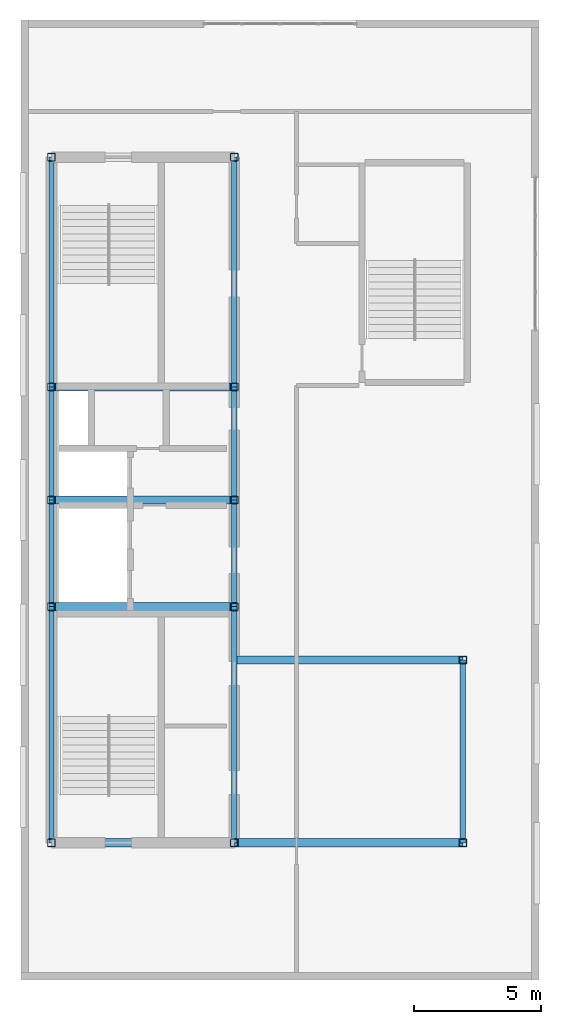
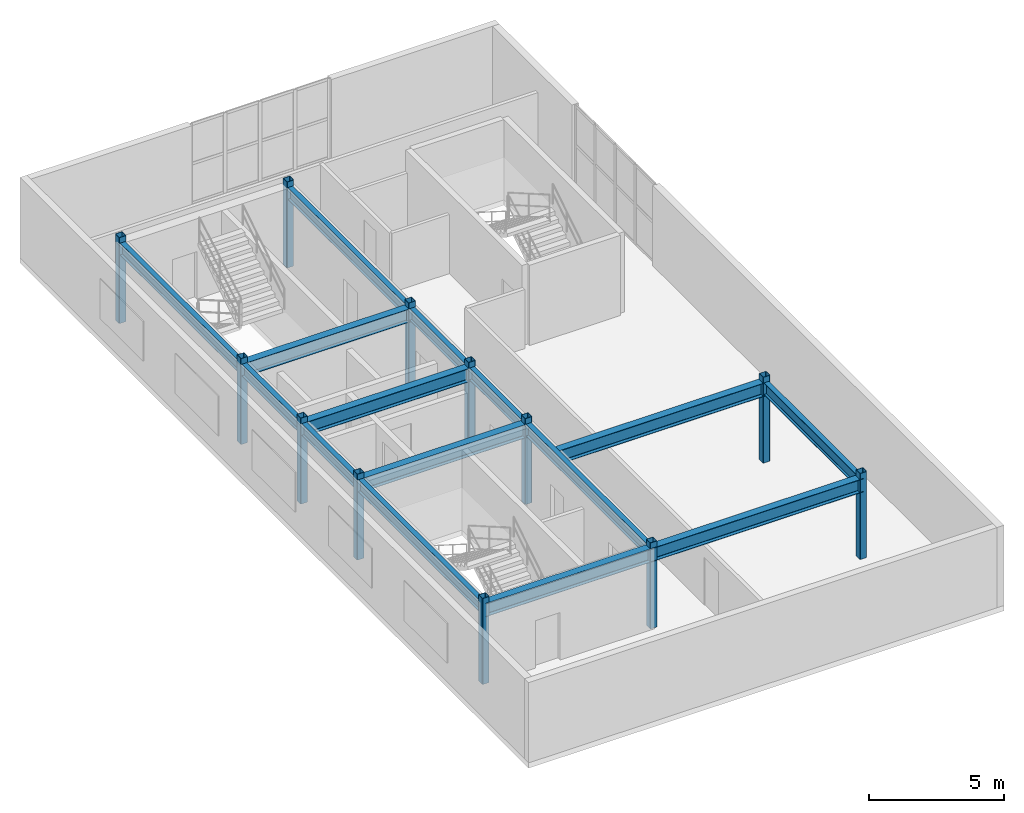
# One storey, part 1 of 6: 15 beams, 12 columns.
"""IFC4 building model written with IfcOpenShell, lengths in metres."""

from ifc_helpers import new_model, entity, si_unit, converted_unit, direction, frame, origin_with_axes, origin_2d_with_axis, place, context, subcontext, project, spatial, hollow_rectangle, i_section, extrude, material, material_profile, profile_set, type_object, element, save


model = new_model("IFC4")

# Units and contexts
model_context = context("Model", 3, precision=1e-05, world=origin_with_axes(), true_north=direction((0.0, 1.0)))
body_context = subcontext(model_context, "Body", "Model", "MODEL_VIEW")
ifc_project = project(units=[si_unit("LENGTHUNIT", "METRE"), si_unit("AREAUNIT", "SQUARE_METRE"), si_unit("VOLUMEUNIT", "CUBIC_METRE"), converted_unit("PLANEANGLEUNIT", "DEGREE", entity("IfcPlaneAngleMeasure", 0.017453292519943295), si_unit("PLANEANGLEUNIT", "RADIAN"), dimensions=[0, 0, 0, 0, 0, 0, 0]), si_unit("MASSUNIT", "GRAM", prefix="KILO"), si_unit("THERMODYNAMICTEMPERATUREUNIT", "KELVIN")], contexts=[model_context])

# Site, building, storey
site_placement = place(None, origin_with_axes())
site = spatial("IfcSite", under=ifc_project, at=site_placement, CompositionType="ELEMENT")
building_placement = place(site_placement, origin_with_axes())
building = spatial("IfcBuilding", under=site, at=building_placement, Name="Varnlund Millrace Tower", CompositionType="ELEMENT")
storey_placement = place(building_placement, frame((0.0, 0.0, 320.4), z_axis=(0.0, 0.0, 1.0), x_axis=(1.0, 0.0, 0.0)))
storey = spatial("IfcBuildingStorey", under=building, at=storey_placement, Name="L79", CompositionType="ELEMENT", Elevation=320.4)

# Columns
ifc_material_1 = material(Name="Steel ASTM A500 Grade C", Category="steel")
ifc_material_profile_1 = material_profile(ifc_material_1, hollow_rectangle(XDim=0.305, YDim=0.305, WallThickness=0.0147, InnerFilletRadius=0.015, OuterFilletRadius=0.03, at=origin_2d_with_axis()), Name="Steel ASTM A500 Grade C")
ifc_profile_set_1 = profile_set([ifc_material_profile_1], Name="Steel ASTM A500 Grade C")
column_type = type_object("IfcColumnType", Name="Type-Col-Crn-HSS12", PredefinedType="COLUMN", material=ifc_profile_set_1)
for number, where, z_axis, x_axis, name in (
    (1, (11.4, 10.8, 0.0), (0.0, 0.0, 1.0), (1.0, 0.0, 0.0), "Type-Col-Crn-HSS12"),
    (2, (11.4, 20.1, 0.0), (0.0, 0.0, 1.0), (1.0, 0.0, 0.0), "Type-Col-Crn-HSS12"),
    (3, (11.4, 24.3, 0.0), (0.0, 0.0, 1.0), (1.0, 0.0, 0.0), "Type-Col-Crn-HSS12"),
    (4, (11.4, 28.75, 0.0), (0.0, 0.0, 1.0), (1.0, 0.0, 0.0), "Type-Col-Crn-HSS12"),
    (5, (11.4, 37.8, 0.0), (0.0, 0.0, 1.0), (1.0, 0.0, 0.0), "Type-Col-Crn-HSS12"),
    (6, (18.6, 10.8, 0.0), (0.0, 0.0, 1.0), (1.0, 0.0, 0.0), "Type-Col-Crn-HSS12"),
    (7, (18.6, 20.1, 0.0), (0.0, 0.0, 1.0), (1.0, 0.0, 0.0), "Type-Col-Crn-HSS12"),
    (8, (18.6, 24.3, 0.0), (0.0, 0.0, 1.0), (1.0, 0.0, 0.0), "Type-Col-Crn-HSS12"),
    (9, (18.6, 28.75, 0.0), (0.0, 0.0, 1.0), (1.0, 0.0, 0.0), "Type-Col-Crn-HSS12"),
    (10, (18.6, 37.8, 0.0), (0.0, 0.0, 1.0), (1.0, 0.0, 0.0), "Type-Col-Crn-HSS12"),
    (11, (27.6, 10.8, 0.0), (0.0, 0.0, 1.0), (1.0, 0.0, 0.0), "Type-Col-Crn-HSS12"),
    (12, (27.6, 18.0, 0.0), (0.0, 0.0, 1.0), (1.0, 0.0, 0.0), "Type-Col-Crn-HSS12"),
):
    element("IfcColumn", number, at=place(storey_placement, frame(where, z_axis=z_axis, x_axis=x_axis)), inside=storey, type_object=column_type, Name=name, PredefinedType="COLUMN", context=body_context, shape_type="SweptSolid", body=[
        extrude(hollow_rectangle(XDim=0.305, YDim=0.305, WallThickness=0.0147, InnerFilletRadius=0.015, OuterFilletRadius=0.03, at=origin_2d_with_axis()), origin_with_axes(), (0.0, 0.0, 1.0), 3.9),
    ])

# Beams
ifc_material_2 = material(Name="Steel ASTM A992 Grade 50", Category="steel")
ifc_material_profile_2 = material_profile(ifc_material_2, i_section(OverallWidth=0.214, OverallDepth=0.549, WebThickness=0.0147, FlangeThickness=0.0236, FilletRadius=0.015, at=origin_2d_with_axis()), Name="Steel ASTM A992 Grade 50")
ifc_profile_set_2 = profile_set([ifc_material_profile_2], Name="Steel ASTM A992 Grade 50")
beam_type_1 = type_object("IfcBeamType", Name="Type-Beam-W21X93", PredefinedType="BEAM", material=ifc_profile_set_2)
beam_1_placement = place(storey_placement, frame((11.4, 10.8, 3.3655), z_axis=(0.0, 1.0, 0.0), x_axis=(-1.0, 0.0, 0.0)))
element("IfcBeam", 13, at=beam_1_placement, inside=storey, type_object=beam_type_1, Name="Type-Beam-W21X93", PredefinedType="BEAM", context=body_context, shape_type="SweptSolid", body=[
    extrude(i_section(OverallWidth=0.214, OverallDepth=0.549, WebThickness=0.0147, FlangeThickness=0.0236, FilletRadius=0.015, at=origin_2d_with_axis()), origin_with_axes(), (0.0, 0.0, 1.0), 9.3),
])
beam_2_placement = place(storey_placement, frame((11.4, 20.1, 3.3655), z_axis=(0.0, 1.0, 0.0), x_axis=(-1.0, 0.0, 0.0)))
element("IfcBeam", 14, at=beam_2_placement, inside=storey, type_object=beam_type_1, Name="Type-Beam-W21X93", PredefinedType="BEAM", context=body_context, shape_type="SweptSolid", body=[
    extrude(i_section(OverallWidth=0.214, OverallDepth=0.549, WebThickness=0.0147, FlangeThickness=0.0236, FilletRadius=0.015, at=origin_2d_with_axis()), origin_with_axes(), (0.0, 0.0, 1.0), 4.2),
])
beam_3_placement = place(storey_placement, frame((11.4, 24.3, 3.3655), z_axis=(0.0, 1.0, 0.0), x_axis=(-1.0, 0.0, 0.0)))
element("IfcBeam", 15, at=beam_3_placement, inside=storey, type_object=beam_type_1, Name="Type-Beam-W21X93", PredefinedType="BEAM", context=body_context, shape_type="SweptSolid", body=[
    extrude(i_section(OverallWidth=0.214, OverallDepth=0.549, WebThickness=0.0147, FlangeThickness=0.0236, FilletRadius=0.015, at=origin_2d_with_axis()), origin_with_axes(), (0.0, 0.0, 1.0), 4.45),
])
beam_4_placement = place(storey_placement, frame((11.4, 28.75, 3.3655), z_axis=(0.0, 1.0, 0.0), x_axis=(-1.0, 0.0, 0.0)))
element("IfcBeam", 16, at=beam_4_placement, inside=storey, type_object=beam_type_1, Name="Type-Beam-W21X93", PredefinedType="BEAM", context=body_context, shape_type="SweptSolid", body=[
    extrude(i_section(OverallWidth=0.214, OverallDepth=0.549, WebThickness=0.0147, FlangeThickness=0.0236, FilletRadius=0.015, at=origin_2d_with_axis()), origin_with_axes(), (0.0, 0.0, 1.0), 9.05),
])
beam_5_placement = place(storey_placement, frame((18.6, 10.8, 3.3655), z_axis=(0.0, 1.0, 0.0), x_axis=(-1.0, 0.0, 0.0)))
element("IfcBeam", 17, at=beam_5_placement, inside=storey, type_object=beam_type_1, Name="Type-Beam-W21X93", PredefinedType="BEAM", context=body_context, shape_type="SweptSolid", body=[
    extrude(i_section(OverallWidth=0.214, OverallDepth=0.549, WebThickness=0.0147, FlangeThickness=0.0236, FilletRadius=0.015, at=origin_2d_with_axis()), origin_with_axes(), (0.0, 0.0, 1.0), 9.3),
])
beam_6_placement = place(storey_placement, frame((18.6, 20.1, 3.3655), z_axis=(0.0, 1.0, 0.0), x_axis=(-1.0, 0.0, 0.0)))
element("IfcBeam", 18, at=beam_6_placement, inside=storey, type_object=beam_type_1, Name="Type-Beam-W21X93", PredefinedType="BEAM", context=body_context, shape_type="SweptSolid", body=[
    extrude(i_section(OverallWidth=0.214, OverallDepth=0.549, WebThickness=0.0147, FlangeThickness=0.0236, FilletRadius=0.015, at=origin_2d_with_axis()), origin_with_axes(), (0.0, 0.0, 1.0), 4.2),
])
beam_7_placement = place(storey_placement, frame((18.6, 24.3, 3.3655), z_axis=(0.0, 1.0, 0.0), x_axis=(-1.0, 0.0, 0.0)))
element("IfcBeam", 19, at=beam_7_placement, inside=storey, type_object=beam_type_1, Name="Type-Beam-W21X93", PredefinedType="BEAM", context=body_context, shape_type="SweptSolid", body=[
    extrude(i_section(OverallWidth=0.214, OverallDepth=0.549, WebThickness=0.0147, FlangeThickness=0.0236, FilletRadius=0.015, at=origin_2d_with_axis()), origin_with_axes(), (0.0, 0.0, 1.0), 4.45),
])
beam_8_placement = place(storey_placement, frame((18.6, 28.75, 3.3655), z_axis=(0.0, 1.0, 0.0), x_axis=(-1.0, 0.0, 0.0)))
element("IfcBeam", 20, at=beam_8_placement, inside=storey, type_object=beam_type_1, Name="Type-Beam-W21X93", PredefinedType="BEAM", context=body_context, shape_type="SweptSolid", body=[
    extrude(i_section(OverallWidth=0.214, OverallDepth=0.549, WebThickness=0.0147, FlangeThickness=0.0236, FilletRadius=0.015, at=origin_2d_with_axis()), origin_with_axes(), (0.0, 0.0, 1.0), 9.05),
])
beam_9_placement = place(storey_placement, frame((27.6, 10.8, 3.3655), z_axis=(0.0, 1.0, 0.0), x_axis=(-1.0, 0.0, 0.0)))
element("IfcBeam", 21, at=beam_9_placement, inside=storey, type_object=beam_type_1, Name="Type-Beam-W21X93", PredefinedType="BEAM", context=body_context, shape_type="SweptSolid", body=[
    extrude(i_section(OverallWidth=0.214, OverallDepth=0.549, WebThickness=0.0147, FlangeThickness=0.0236, FilletRadius=0.015, at=origin_2d_with_axis()), origin_with_axes(), (0.0, 0.0, 1.0), 7.2),
])
ifc_material_profile_3 = material_profile(ifc_material_2, i_section(OverallWidth=0.324, OverallDepth=0.611, WebThickness=0.0127, FlangeThickness=0.0191, FilletRadius=0.016, at=origin_2d_with_axis()), Name="Steel ASTM A992 Grade 50")
ifc_profile_set_3 = profile_set([ifc_material_profile_3], Name="Steel ASTM A992 Grade 50")
beam_type_2 = type_object("IfcBeamType", Name="Type-Girder-W24X104", PredefinedType="USERDEFINED", material=ifc_profile_set_3)
beam_10_placement = place(storey_placement, frame((11.4, 10.8, 3.3345), z_axis=(1.0, 0.0, 0.0), x_axis=(0.0, 1.0, 0.0)))
element("IfcBeam", 22, at=beam_10_placement, inside=storey, type_object=beam_type_2, Name="Type-Girder-W24X104", ObjectType="GIRDER", PredefinedType="USERDEFINED", context=body_context, shape_type="SweptSolid", body=[
    extrude(i_section(OverallWidth=0.324, OverallDepth=0.611, WebThickness=0.0127, FlangeThickness=0.0191, FilletRadius=0.016, at=origin_2d_with_axis()), origin_with_axes(), (0.0, 0.0, 1.0), 7.2),
])
for number, where, z_axis, x_axis, name in (
    (23, (18.6, 10.8, 3.3345), (1.0, 0.0, 0.0), (0.0, 1.0, 0.0), "Type-Girder-W24X104"),
    (24, (18.6, 18.0, 3.3345), (1.0, 0.0, 0.0), (0.0, 1.0, 0.0), "Type-Girder-W24X104"),
):
    element("IfcBeam", number, at=place(storey_placement, frame(where, z_axis=z_axis, x_axis=x_axis)), inside=storey, type_object=beam_type_2, Name=name, ObjectType="GIRDER", PredefinedType="USERDEFINED", context=body_context, shape_type="SweptSolid", body=[
        extrude(i_section(OverallWidth=0.324, OverallDepth=0.611, WebThickness=0.0127, FlangeThickness=0.0191, FilletRadius=0.016, at=origin_2d_with_axis()), origin_with_axes(), (0.0, 0.0, 1.0), 9.0),
    ])
for number, where, z_axis, x_axis, name in (
    (25, (11.4, 20.1, 3.3345), (1.0, 0.0, 0.0), (0.0, 1.0, 0.0), "Type-Girder-W24X104"),
    (26, (11.4, 24.3, 3.3345), (1.0, 0.0, 0.0), (0.0, 1.0, 0.0), "Type-Girder-W24X104"),
    (27, (11.4, 28.75, 3.3345), (1.0, 0.0, 0.0), (0.0, 1.0, 0.0), "Type-Girder-W24X104"),
):
    element("IfcBeam", number, at=place(storey_placement, frame(where, z_axis=z_axis, x_axis=x_axis)), inside=storey, type_object=beam_type_2, Name=name, ObjectType="GIRDER", PredefinedType="USERDEFINED", context=body_context, shape_type="SweptSolid", body=[
        extrude(i_section(OverallWidth=0.324, OverallDepth=0.611, WebThickness=0.0127, FlangeThickness=0.0191, FilletRadius=0.016, at=origin_2d_with_axis()), origin_with_axes(), (0.0, 0.0, 1.0), 7.2),
    ])

save(model, "model.ifc")
